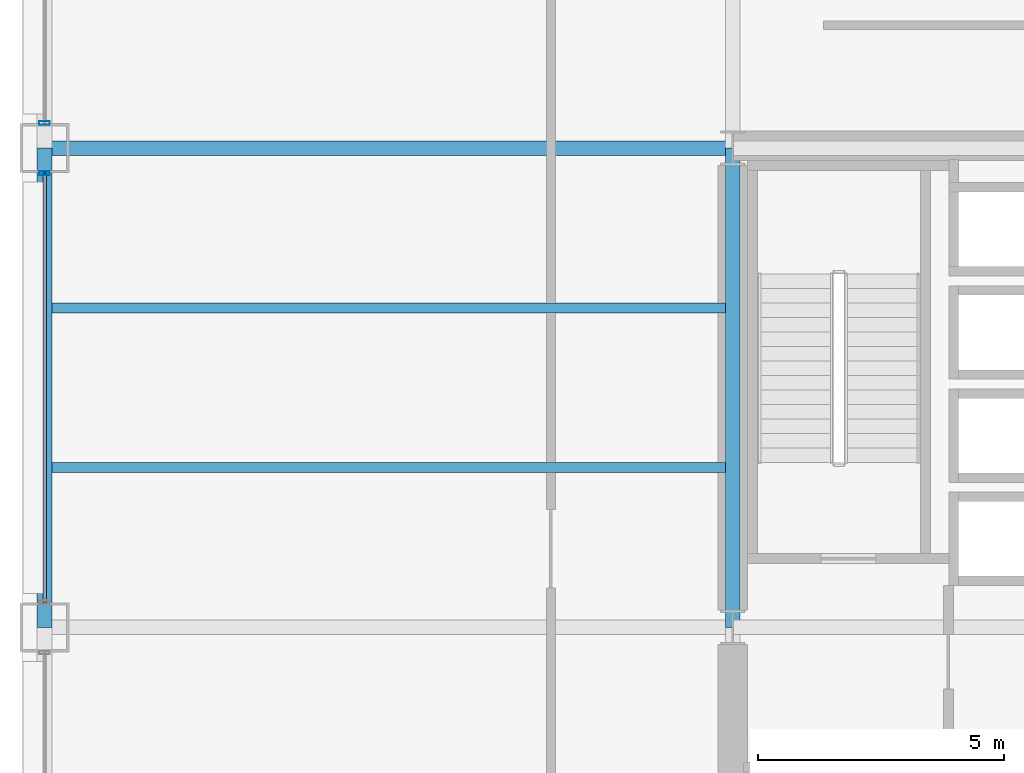
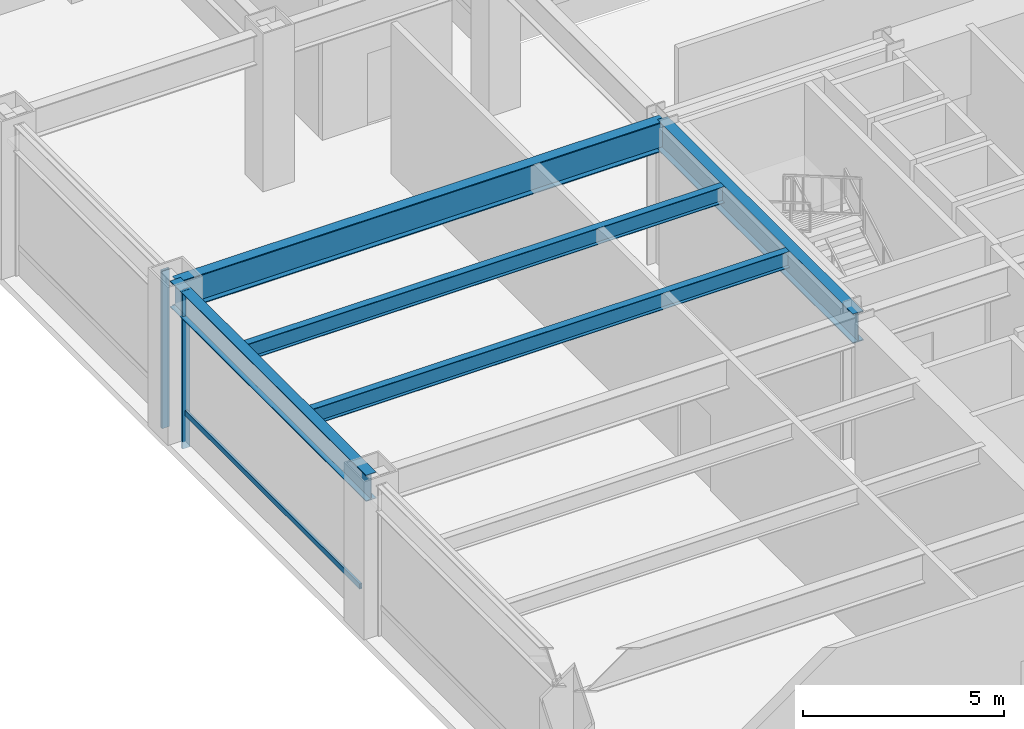
# One storey, part 14 of 37: 5 beams, 3 members, 2 elements without a shape of their own.
"""IFC4 building model written with IfcOpenShell, lengths in metres."""

from ifc_helpers import new_model, si_unit, direction, frame, origin, origin_2d, place, context, subcontext, project, spatial, hollow_rectangle, i_section, extrude, material, layer, layer_set, material_profile, profile_set, type_object, element, aggregate, save


model = new_model("IFC4")

# Units and contexts
model_context = context("Model", 3, precision=1e-05, world=origin(), true_north=direction((0.0, 1.0)))
body_context = subcontext(model_context, "Body", "Model", "MODEL_VIEW")
ifc_project = project(units=[si_unit("LENGTHUNIT", "METRE"), si_unit("AREAUNIT", "SQUARE_METRE"), si_unit("VOLUMEUNIT", "CUBIC_METRE"), si_unit("PLANEANGLEUNIT", "RADIAN"), si_unit("MASSUNIT", "GRAM", prefix="KILO")], contexts=[model_context])

# Site, building, storey
site_placement = place(None, origin())
site = spatial("IfcSite", under=ifc_project, at=site_placement, CompositionType="ELEMENT")
building_placement = place(site_placement, origin())
building = spatial("IfcBuilding", under=site, at=building_placement, Name="Brelmoor Portico Tower", CompositionType="ELEMENT")
storey_placement = place(building_placement, frame((0.0, 0.0, 14.39990234375)))
storey = spatial("IfcBuildingStorey", under=building, at=storey_placement, Name="L03", CompositionType="ELEMENT", Elevation=14.39990234375)

# Beams
ifc_material_1 = material(Name="Steel Q355B", Category="steel")
ifc_material_profile_1 = material_profile(ifc_material_1, i_section(OverallWidth=0.199951171875, OverallDepth=0.5, WebThickness=0.010009765625, FlangeThickness=0.01611328125, at=origin_2d()), Name="HN 500x200x10x16")
ifc_profile_set_1 = profile_set([ifc_material_profile_1], Name="Steel Q355B")
beam_type_1 = type_object("IfcBeamType", Name="BM-JS-500", PredefinedType="JOIST", material=ifc_profile_set_1)
for number, where, z_axis, x_axis, name in (
    (1, (-28.39990234375, 3.25, 4.330078125), (1.0, 0.0, 0.0), (0.0, 1.0, 0.0), "L03 Secondary Wing Joist JS-W03"),
    (2, (-28.39990234375, 6.5, 4.330078125), (1.0, 0.0, 0.0), (0.0, 1.0, 0.0), "L03 Secondary Wing Joist JS-W04"),
):
    element("IfcBeam", number, at=place(storey_placement, frame(where, z_axis=z_axis, x_axis=x_axis)), inside=storey, type_object=beam_type_1, Name=name, PredefinedType="JOIST", context=body_context, shape_type="SweptSolid", body=[
        extrude(i_section(OverallWidth=0.199951171875, OverallDepth=0.5, WebThickness=0.010009765625, FlangeThickness=0.01611328125, at=origin_2d()), origin(), (0.0, 0.0, 1.0), 13.699951171875),
    ])
ifc_material_profile_2 = material_profile(ifc_material_1, i_section(OverallWidth=0.300048828125, OverallDepth=0.89990234375, WebThickness=0.01611328125, FlangeThickness=0.028076171875, at=origin_2d()), Name="HN 900x300x16x28")
ifc_profile_set_2 = profile_set([ifc_material_profile_2], Name="Steel Q355B")
beam_type_2 = type_object("IfcBeamType", Name="BM-PG-900", PredefinedType="BEAM", material=ifc_profile_set_2)
beam_1_placement = place(storey_placement, frame((-14.550048828125, 0.0, 4.130126953125), z_axis=(0.0, 1.0, 0.0), x_axis=(-1.0, 0.0, 0.0)))
element("IfcBeam", 3, at=beam_1_placement, inside=storey, type_object=beam_type_2, Name="L03 Primary Floor Girder PG-07", PredefinedType="BEAM", context=body_context, shape_type="SweptSolid", body=[
    extrude(i_section(OverallWidth=0.300048828125, OverallDepth=0.89990234375, WebThickness=0.01611328125, FlangeThickness=0.028076171875, at=origin_2d()), origin(), (0.0, 0.0, 1.0), 9.75),
])
beam_2_placement = place(storey_placement, frame((-28.550048828125, 9.75, 4.130126953125), z_axis=(1.0, 0.0, 0.0), x_axis=(0.0, 1.0, 0.0)))
element("IfcBeam", 4, at=beam_2_placement, inside=storey, type_object=beam_type_2, Name="L03 Primary Floor Girder PG-35", PredefinedType="BEAM", context=body_context, shape_type="SweptSolid", body=[
    extrude(i_section(OverallWidth=0.300048828125, OverallDepth=0.89990234375, WebThickness=0.01611328125, FlangeThickness=0.028076171875, at=origin_2d()), origin(), (0.0, 0.0, 1.0), 14.0),
])
ifc_material_profile_3 = material_profile(ifc_material_1, i_section(OverallWidth=0.300048828125, OverallDepth=0.800048828125, WebThickness=0.013916015625, FlangeThickness=0.02587890625, at=origin_2d()), Name="HN 800x300x14x26")
ifc_profile_set_3 = profile_set([ifc_material_profile_3], Name="Steel Q355B")
beam_type_3 = type_object("IfcBeamType", Name="BM-SP-800", PredefinedType="SPANDREL", material=ifc_profile_set_3)
beam_3_placement = place(storey_placement, frame((-28.550048828125, 0.0, 4.18017578125), z_axis=(0.0, 1.0, 0.0), x_axis=(-1.0, 0.0, 0.0)))
element("IfcBeam", 5, at=beam_3_placement, inside=storey, type_object=beam_type_3, Name="L03 Perimeter Spandrel Beam SP-14", PredefinedType="SPANDREL", context=body_context, shape_type="SweptSolid", body=[
    extrude(i_section(OverallWidth=0.300048828125, OverallDepth=0.800048828125, WebThickness=0.013916015625, FlangeThickness=0.02587890625, at=origin_2d()), origin(), (0.0, 0.0, 1.0), 9.75),
])

# Curtain wall, member
ifc_material_2 = material(Name="Anodised Aluminium Alloy 6063-T6", Category="aluminium")
ifc_layer = layer(ifc_material_2, 0.179931640625)
ifc_layer_set = layer_set([ifc_layer], Name="Anodised Aluminium Alloy 6063-T6")
curtain_wall_type = type_object("IfcCurtainWallType", Name="CW-PODIUM-ARCH", PredefinedType="NOTDEFINED", material=ifc_layer_set)
curtain_wall_1_placement = place(storey_placement, origin())
curtain_wall_1 = element("IfcCurtainWall", 6, at=curtain_wall_1_placement, inside=storey, type_object=curtain_wall_type, Name="L03 Curtain Wall CW-L03-11-4", PredefinedType="NOTDEFINED")
ifc_material_profile_4 = material_profile(ifc_material_2, hollow_rectangle(XDim=0.074951171875, YDim=0.219970703125, WallThickness=0.0048828125, at=origin_2d()), Name="ALU MULLION 75x220")
ifc_profile_set_4 = profile_set([ifc_material_profile_4], Name="Anodised Aluminium Alloy 6063-T6")
member_type_1 = type_object("IfcMemberType", Name="MB-CW-MULL-220", PredefinedType="MULLION", material=ifc_profile_set_4)
member_1_placement = place(storey_placement, frame((-28.550048828125, 9.239990234375, -0.219970703125), z_axis=(0.0, 0.0, 1.0), x_axis=(0.0, 1.0, 0.0)))
member_1 = element("IfcMember", 7, at=member_1_placement, type_object=member_type_1, Name="CW-L03-11-4 Mullion 01", PredefinedType="MULLION", context=body_context, shape_type="SweptSolid", body=[
    extrude(hollow_rectangle(XDim=0.074951171875, YDim=0.219970703125, WallThickness=0.0048828125, at=origin_2d()), origin(), (0.0, 0.0, 1.0), 4.800048828125),
])

curtain_wall_2_placement = place(storey_placement, origin())
curtain_wall_2 = element("IfcCurtainWall", 8, at=curtain_wall_2_placement, inside=storey, type_object=curtain_wall_type, Name="L03 Curtain Wall CW-L03-11-5", PredefinedType="NOTDEFINED")
member_2_placement = place(storey_placement, frame((-28.550048828125, 10.260009765625, -0.219970703125), z_axis=(0.0, 0.0, 1.0), x_axis=(0.0, 1.0, 0.0)))
member_2 = element("IfcMember", 9, at=member_2_placement, type_object=member_type_1, Name="CW-L03-11-5 Mullion 00", PredefinedType="MULLION", context=body_context, shape_type="SweptSolid", body=[
    extrude(hollow_rectangle(XDim=0.074951171875, YDim=0.219970703125, WallThickness=0.0048828125, at=origin_2d()), origin(), (0.0, 0.0, 1.0), 4.800048828125),
])
aggregate(curtain_wall_2, [member_2])

# Member
ifc_material_profile_5 = material_profile(ifc_material_2, hollow_rectangle(XDim=0.070068359375, YDim=0.159912109375, WallThickness=0.00390625, at=origin_2d()), Name="ALU TRANSOM 70x160")
ifc_profile_set_5 = profile_set([ifc_material_profile_5], Name="Anodised Aluminium Alloy 6063-T6")
member_type_2 = type_object("IfcMemberType", Name="MB-CW-TRAN-160", PredefinedType="USERDEFINED", material=ifc_profile_set_5)
member_3_placement = place(storey_placement, frame((-28.550048828125, 0.510009765625, 0.85009765625), z_axis=(0.0, 1.0, 0.0), x_axis=(-1.0, 0.0, 0.0)))
member_3 = element("IfcMember", 10, at=member_3_placement, type_object=member_type_2, Name="CW-L03-11-4 Transom 1-00", ObjectType="TRANSOM", PredefinedType="USERDEFINED", context=body_context, shape_type="SweptSolid", body=[
    extrude(hollow_rectangle(XDim=0.070068359375, YDim=0.159912109375, WallThickness=0.00390625, at=origin_2d()), origin(), (0.0, 0.0, 1.0), 8.72998046875),
])

aggregate(curtain_wall_1, [member_1, member_3])

save(model, "model.ifc")
